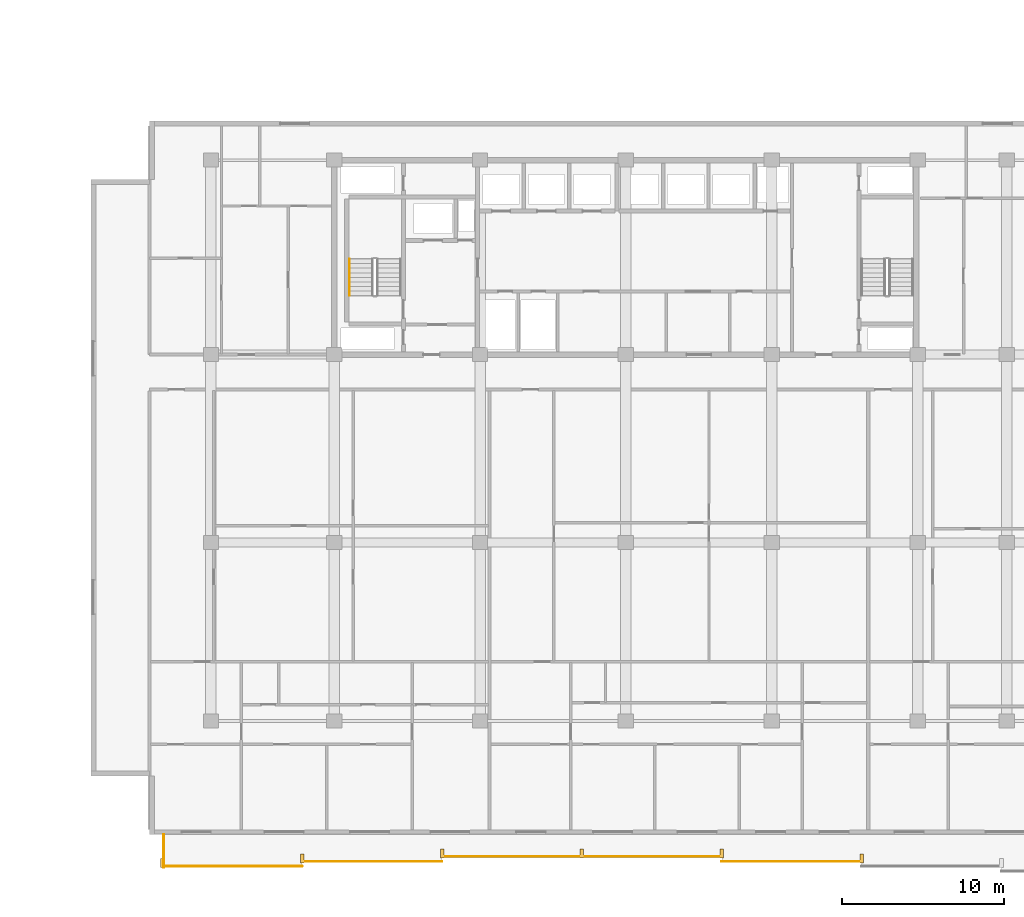
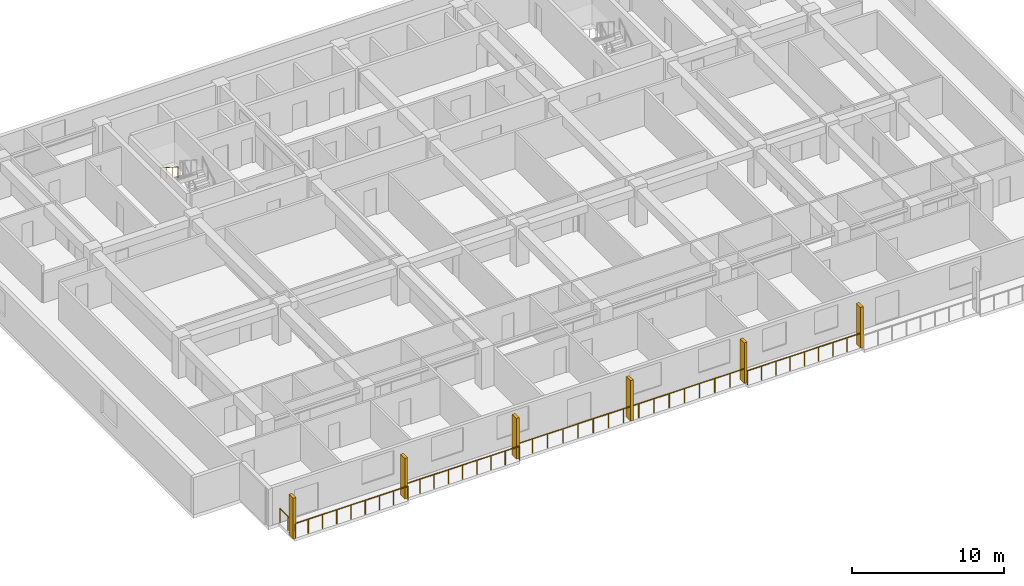
# One storey, part 19 of 23: 6 railings, 6 shading devices.
"""IFC4 building model written with IfcOpenShell, lengths in metres."""

from ifc_helpers import new_model, si_unit, direction, frame, origin, origin_2d, place, context, subcontext, project, spatial, rectangle, circle, extrude, material, type_object, element, save


model = new_model("IFC4")

# Units and contexts
model_context = context("Model", 3, precision=1e-05, world=origin(), true_north=direction((0.0, 1.0)))
body_context = subcontext(model_context, "Body", "Model", "MODEL_VIEW")
ifc_project = project(units=[si_unit("LENGTHUNIT", "METRE"), si_unit("AREAUNIT", "SQUARE_METRE"), si_unit("VOLUMEUNIT", "CUBIC_METRE"), si_unit("PLANEANGLEUNIT", "RADIAN"), si_unit("MASSUNIT", "GRAM", prefix="KILO")], contexts=[model_context])

# Site, building, storey
site_placement = place(None, origin())
site = spatial("IfcSite", under=ifc_project, at=site_placement, CompositionType="ELEMENT")
building_placement = place(site_placement, origin())
building = spatial("IfcBuilding", under=site, at=building_placement, Name="Korimba Cascade Residences", CompositionType="ELEMENT")
storey_placement = place(building_placement, frame((0.0, 0.0, 53.25)))
storey = spatial("IfcBuildingStorey", under=building, at=storey_placement, Name="L14", CompositionType="ELEMENT", Elevation=53.25)

# Railings
ifc_material_1 = material(Name="Laminated Glass and Bronze Balustrade", Category="glass")
railing_type_1 = type_object("IfcRailingType", Name="RLG-LOG-1150", PredefinedType="BALUSTRADE", material=ifc_material_1)
railing_1_placement = place(storey_placement, frame((71.5, -13.169921875, 0.0)))
element("IfcRailing", 1, at=railing_1_placement, inside=storey, type_object=railing_type_1, Name="L14 Perimeter Guardrail RLG-L14-T2-LOG-01", PredefinedType="BALUSTRADE", context=body_context, shape_type="SweptSolid", body=[
    extrude(circle(Radius=0.02392578125, at=origin_2d()), frame((0.0, 0.0, 1.1259765625), z_axis=(1.0, 0.0, 0.0), x_axis=(0.0, 1.0, 0.0)), (0.0, 0.0, 1.0), 8.628662109375),
    extrude(circle(Radius=0.02099609375, at=origin_2d()), origin(), (0.0, 0.0, 1.0), 1.101806640625),
    extrude(circle(Radius=0.02099609375, at=origin_2d()), frame((1.07861328125, 0.0, 0.0)), (0.0, 0.0, 1.0), 1.101806640625),
    extrude(circle(Radius=0.02099609375, at=origin_2d()), frame((2.1572265625, 0.0, 0.0)), (0.0, 0.0, 1.0), 1.101806640625),
    extrude(circle(Radius=0.02099609375, at=origin_2d()), frame((3.23583984375, 0.0, 0.0)), (0.0, 0.0, 1.0), 1.101806640625),
    extrude(circle(Radius=0.02099609375, at=origin_2d()), frame((4.314453125, 0.0, 0.0)), (0.0, 0.0, 1.0), 1.101806640625),
    extrude(circle(Radius=0.02099609375, at=origin_2d()), frame((5.392822265625, 0.0, 0.0)), (0.0, 0.0, 1.0), 1.101806640625),
    extrude(circle(Radius=0.02099609375, at=origin_2d()), frame((6.471435546875, 0.0, 0.0)), (0.0, 0.0, 1.0), 1.101806640625),
    extrude(circle(Radius=0.02099609375, at=origin_2d()), frame((7.550048828125, 0.0, 0.0)), (0.0, 0.0, 1.0), 1.101806640625),
    extrude(circle(Radius=0.02099609375, at=origin_2d()), frame((8.628662109375, 0.0, 0.0)), (0.0, 0.0, 1.0), 1.101806640625),
])
railing_2_placement = place(storey_placement, frame((80.128662109375, -12.8701171875, 0.0)))
element("IfcRailing", 2, at=railing_2_placement, inside=storey, type_object=railing_type_1, Name="L14 Perimeter Guardrail RLG-L14-T2-LOG-02", PredefinedType="BALUSTRADE", context=body_context, shape_type="SweptSolid", body=[
    extrude(circle(Radius=0.02392578125, at=origin_2d()), frame((0.0, 0.0, 1.1259765625), z_axis=(1.0, 0.0, 0.0), x_axis=(0.0, 1.0, 0.0)), (0.0, 0.0, 1.0), 8.62841796875),
    extrude(circle(Radius=0.02099609375, at=origin_2d()), origin(), (0.0, 0.0, 1.0), 1.101806640625),
    extrude(circle(Radius=0.02099609375, at=origin_2d()), frame((1.07861328125, 0.0, 0.0)), (0.0, 0.0, 1.0), 1.101806640625),
    extrude(circle(Radius=0.02099609375, at=origin_2d()), frame((2.1572265625, 0.0, 0.0)), (0.0, 0.0, 1.0), 1.101806640625),
    extrude(circle(Radius=0.02099609375, at=origin_2d()), frame((3.235595703125, 0.0, 0.0)), (0.0, 0.0, 1.0), 1.101806640625),
    extrude(circle(Radius=0.02099609375, at=origin_2d()), frame((4.314208984375, 0.0, 0.0)), (0.0, 0.0, 1.0), 1.101806640625),
    extrude(circle(Radius=0.02099609375, at=origin_2d()), frame((5.392822265625, 0.0, 0.0)), (0.0, 0.0, 1.0), 1.101806640625),
    extrude(circle(Radius=0.02099609375, at=origin_2d()), frame((6.47119140625, 0.0, 0.0)), (0.0, 0.0, 1.0), 1.101806640625),
    extrude(circle(Radius=0.02099609375, at=origin_2d()), frame((7.5498046875, 0.0, 0.0)), (0.0, 0.0, 1.0), 1.101806640625),
    extrude(circle(Radius=0.02099609375, at=origin_2d()), frame((8.62841796875, 0.0, 0.0)), (0.0, 0.0, 1.0), 1.101806640625),
])
railing_3_placement = place(storey_placement, frame((88.757080078125, -12.570068359375, 0.0)))
element("IfcRailing", 3, at=railing_3_placement, inside=storey, type_object=railing_type_1, Name="L14 Perimeter Guardrail RLG-L14-T2-LOG-03", PredefinedType="BALUSTRADE", context=body_context, shape_type="SweptSolid", body=[
    extrude(circle(Radius=0.02392578125, at=origin_2d()), frame((0.0, 0.0, 1.1259765625), z_axis=(1.0, 0.0, 0.0), x_axis=(0.0, 1.0, 0.0)), (0.0, 0.0, 1.0), 17.25732421875),
    extrude(circle(Radius=0.02099609375, at=origin_2d()), origin(), (0.0, 0.0, 1.0), 1.101806640625),
    extrude(circle(Radius=0.02099609375, at=origin_2d()), frame((1.150390625, 0.0, 0.0)), (0.0, 0.0, 1.0), 1.101806640625),
    extrude(circle(Radius=0.02099609375, at=origin_2d()), frame((2.301025390625, 0.0, 0.0)), (0.0, 0.0, 1.0), 1.101806640625),
    extrude(circle(Radius=0.02099609375, at=origin_2d()), frame((3.451416015625, 0.0, 0.0)), (0.0, 0.0, 1.0), 1.101806640625),
    extrude(circle(Radius=0.02099609375, at=origin_2d()), frame((4.60205078125, 0.0, 0.0)), (0.0, 0.0, 1.0), 1.101806640625),
    extrude(circle(Radius=0.02099609375, at=origin_2d()), frame((5.75244140625, 0.0, 0.0)), (0.0, 0.0, 1.0), 1.101806640625),
    extrude(circle(Radius=0.02099609375, at=origin_2d()), frame((6.90283203125, 0.0, 0.0)), (0.0, 0.0, 1.0), 1.101806640625),
    extrude(circle(Radius=0.02099609375, at=origin_2d()), frame((8.053466796875, 0.0, 0.0)), (0.0, 0.0, 1.0), 1.101806640625),
    extrude(circle(Radius=0.02099609375, at=origin_2d()), frame((9.203857421875, 0.0, 0.0)), (0.0, 0.0, 1.0), 1.101806640625),
    extrude(circle(Radius=0.02099609375, at=origin_2d()), frame((10.3544921875, 0.0, 0.0)), (0.0, 0.0, 1.0), 1.101806640625),
    extrude(circle(Radius=0.02099609375, at=origin_2d()), frame((11.5048828125, 0.0, 0.0)), (0.0, 0.0, 1.0), 1.101806640625),
    extrude(circle(Radius=0.02099609375, at=origin_2d()), frame((12.6552734375, 0.0, 0.0)), (0.0, 0.0, 1.0), 1.101806640625),
    extrude(circle(Radius=0.02099609375, at=origin_2d()), frame((13.805908203125, 0.0, 0.0)), (0.0, 0.0, 1.0), 1.101806640625),
    extrude(circle(Radius=0.02099609375, at=origin_2d()), frame((14.956298828125, 0.0, 0.0)), (0.0, 0.0, 1.0), 1.101806640625),
    extrude(circle(Radius=0.02099609375, at=origin_2d()), frame((16.10693359375, 0.0, 0.0)), (0.0, 0.0, 1.0), 1.101806640625),
    extrude(circle(Radius=0.02099609375, at=origin_2d()), frame((17.25732421875, 0.0, 0.0)), (0.0, 0.0, 1.0), 1.101806640625),
])
railing_4_placement = place(storey_placement, frame((106.014404296875, -12.8701171875, 0.0)))
element("IfcRailing", 4, at=railing_4_placement, inside=storey, type_object=railing_type_1, Name="L14 Perimeter Guardrail RLG-L14-T2-LOG-04", PredefinedType="BALUSTRADE", context=body_context, shape_type="SweptSolid", body=[
    extrude(circle(Radius=0.02392578125, at=origin_2d()), frame((0.0, 0.0, 1.1259765625), z_axis=(1.0, 0.0, 0.0), x_axis=(0.0, 1.0, 0.0)), (0.0, 0.0, 1.0), 8.62841796875),
    extrude(circle(Radius=0.02099609375, at=origin_2d()), origin(), (0.0, 0.0, 1.0), 1.101806640625),
    extrude(circle(Radius=0.02099609375, at=origin_2d()), frame((1.07861328125, 0.0, 0.0)), (0.0, 0.0, 1.0), 1.101806640625),
    extrude(circle(Radius=0.02099609375, at=origin_2d()), frame((2.1572265625, 0.0, 0.0)), (0.0, 0.0, 1.0), 1.101806640625),
    extrude(circle(Radius=0.02099609375, at=origin_2d()), frame((3.235595703125, 0.0, 0.0)), (0.0, 0.0, 1.0), 1.101806640625),
    extrude(circle(Radius=0.02099609375, at=origin_2d()), frame((4.314208984375, 0.0, 0.0)), (0.0, 0.0, 1.0), 1.101806640625),
    extrude(circle(Radius=0.02099609375, at=origin_2d()), frame((5.392822265625, 0.0, 0.0)), (0.0, 0.0, 1.0), 1.101806640625),
    extrude(circle(Radius=0.02099609375, at=origin_2d()), frame((6.47119140625, 0.0, 0.0)), (0.0, 0.0, 1.0), 1.101806640625),
    extrude(circle(Radius=0.02099609375, at=origin_2d()), frame((7.5498046875, 0.0, 0.0)), (0.0, 0.0, 1.0), 1.101806640625),
    extrude(circle(Radius=0.02099609375, at=origin_2d()), frame((8.62841796875, 0.0, 0.0)), (0.0, 0.0, 1.0), 1.101806640625),
])
railing_5_placement = place(storey_placement, frame((71.580078125, -11.199951171875, 0.0)))
element("IfcRailing", 5, at=railing_5_placement, inside=storey, type_object=railing_type_1, Name="L14 Perimeter Guardrail RLG-L14-T2-LOG-08", PredefinedType="BALUSTRADE", context=body_context, shape_type="SweptSolid", body=[
    extrude(circle(Radius=0.02392578125, at=origin_2d()), frame((0.0, 0.0, 1.1259765625), z_axis=(0.0, -1.0, 0.0), x_axis=(1.0, 0.0, 0.0)), (0.0, 0.0, 1.0), 2.050048828125),
    extrude(circle(Radius=0.02099609375, at=origin_2d()), origin(), (0.0, 0.0, 1.0), 1.101806640625),
    extrude(circle(Radius=0.02099609375, at=origin_2d()), frame((0.0, -1.02490234375, 0.0)), (0.0, 0.0, 1.0), 1.101806640625),
    extrude(circle(Radius=0.02099609375, at=origin_2d()), frame((0.0, -2.050048828125, 0.0)), (0.0, 0.0, 1.0), 1.101806640625),
])
ifc_material_2 = material(Name="Brushed Stainless Steel Handrail", Category="steel")
railing_type_2 = type_object("IfcRailingType", Name="RLG-ST-HR900", PredefinedType="HANDRAIL", material=ifc_material_2)
railing_6_placement = place(storey_placement, frame((83.050048828125, 24.2900390625, 1.989990234375)))
element("IfcRailing", 6, at=railing_6_placement, inside=storey, type_object=railing_type_2, Name="L14 ST-E1 stair handrail 2", PredefinedType="HANDRAIL", context=body_context, shape_type="SweptSolid", body=[
    extrude(circle(Radius=0.02392578125, at=origin_2d()), frame((0.0, 0.0, 0.8759765625), z_axis=(0.0, -0.840436612492, 0.541909863706), x_axis=(1.0, 0.0, 0.0)), (0.0, 0.0, 1.0), 2.665283203125),
    extrude(circle(Radius=0.02099609375, at=origin_2d()), origin(), (0.0, 0.0, 1.0), 0.851806640625),
    extrude(circle(Radius=0.02099609375, at=origin_2d()), frame((0.0, -0.74658203125, 0.4814453125)), (0.0, 0.0, 1.0), 0.851806640625),
    extrude(circle(Radius=0.02099609375, at=origin_2d()), frame((0.0, -1.493408203125, 0.962890625)), (0.0, 0.0, 1.0), 0.851806640625),
    extrude(circle(Radius=0.02099609375, at=origin_2d()), frame((0.0, -2.239990234375, 1.4443359375)), (0.0, 0.0, 1.0), 0.851806640625),
])

# Shading devices
ifc_material_3 = material(Name="Honed Sandstone Precast Fin", Category="masonry")
shading_device_type = type_object("IfcShadingDeviceType", Name="SHD-FIN-550", PredefinedType="USERDEFINED", material=ifc_material_3)
for number, where, z_axis, x_axis, name in (
    (7, (71.5, -12.97509765625, 0.0), (0.0, 0.0, 1.0), (1.0, 0.0, 0.0), "L14 T2 Warm-Stone Loggia Fin 1"),
    (8, (80.128662109375, -12.675048828125, 0.0), (0.0, 0.0, 1.0), (1.0, 0.0, 0.0), "L14 T2 Warm-Stone Loggia Fin 2"),
    (9, (88.757080078125, -12.375, 0.0), (0.0, 0.0, 1.0), (1.0, 0.0, 0.0), "L14 T2 Warm-Stone Loggia Fin 3"),
    (10, (97.3857421875, -12.375, 0.0), (0.0, 0.0, 1.0), (1.0, 0.0, 0.0), "L14 T2 Warm-Stone Loggia Fin 4"),
    (11, (106.014404296875, -12.375, 0.0), (0.0, 0.0, 1.0), (1.0, 0.0, 0.0), "L14 T2 Warm-Stone Loggia Fin 5"),
    (12, (114.642822265625, -12.675048828125, 0.0), (0.0, 0.0, 1.0), (1.0, 0.0, 0.0), "L14 T2 Warm-Stone Loggia Fin 6"),
):
    element("IfcShadingDevice", number, at=place(storey_placement, frame(where, z_axis=z_axis, x_axis=x_axis)), inside=storey, type_object=shading_device_type, Name=name, ObjectType="FIN", PredefinedType="USERDEFINED", context=body_context, shape_type="SweptSolid", body=[
        extrude(rectangle(XDim=0.219970703125, YDim=0.550048828125, at=origin_2d()), origin(), (0.0, 0.0, 1.0), 3.25),
    ])

save(model, "model.ifc")
